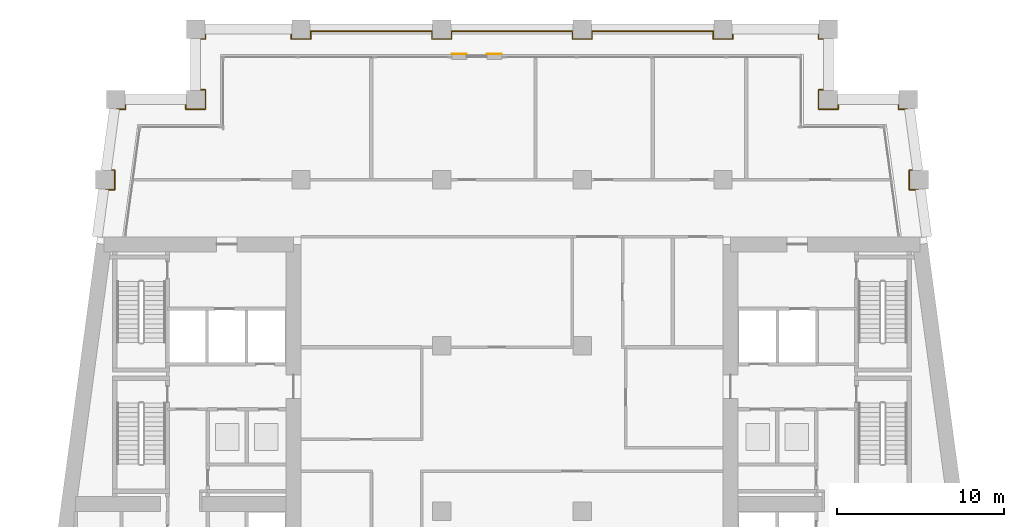
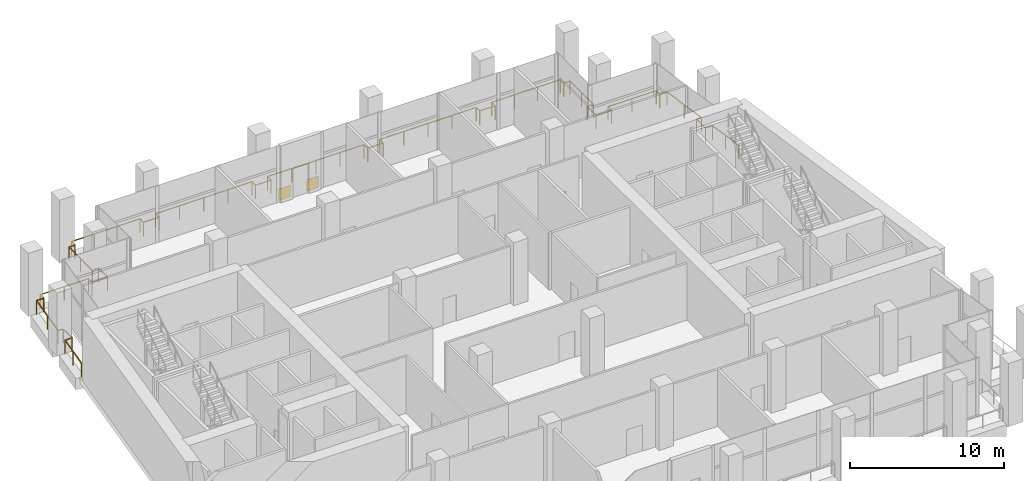
# One storey, part 15 of 16: 2 coverings, 1 railing.
"""IFC4 building model written with IfcOpenShell, lengths in metres."""

from ifc_helpers import new_model, si_unit, direction, frame, origin, origin_2d, place, context, subcontext, project, spatial, rectangle, circle, extrude, material, layer, layer_set, type_object, element, save


model = new_model("IFC4")

# Units and contexts
model_context = context("Model", 3, precision=1e-05, world=origin(), true_north=direction((0.0, 1.0)))
body_context = subcontext(model_context, "Body", "Model", "MODEL_VIEW")
ifc_project = project(units=[si_unit("LENGTHUNIT", "METRE"), si_unit("AREAUNIT", "SQUARE_METRE"), si_unit("VOLUMEUNIT", "CUBIC_METRE"), si_unit("PLANEANGLEUNIT", "RADIAN"), si_unit("MASSUNIT", "GRAM", prefix="KILO")], contexts=[model_context])

# Site, building, storey
site_placement = place(None, origin())
site = spatial("IfcSite", under=ifc_project, at=site_placement, CompositionType="ELEMENT")
building_placement = place(site_placement, origin())
building = spatial("IfcBuilding", under=site, at=building_placement, Name="Candeia Pilgrim Tower and Theatre", CompositionType="ELEMENT")
storey_placement = place(building_placement, frame((0.0, 0.0, 192.199951171875)))
storey = spatial("IfcBuildingStorey", under=building, at=storey_placement, Name="L46", CompositionType="ELEMENT", Elevation=192.199951171875)

# Railing
ifc_material_1 = material(Name="Stainless steel balustrade", Category="steel")
railing_type = type_object("IfcRailingType", Name="G1 loggia guard 1100", PredefinedType="GUARDRAIL", material=ifc_material_1)
railing_placement = place(storey_placement, frame((88.758544921875, 132.449951171875, 0.0)))
element("IfcRailing", 1, at=railing_placement, inside=storey, type_object=railing_type, Name="Guard L46.2", PredefinedType="GUARDRAIL", context=body_context, shape_type="SweptSolid", body=[
    extrude(circle(Radius=0.02392578125, at=origin_2d()), frame((0.0, 0.0, 1.076171875), z_axis=(0.133382313969, 0.991064659001, 0.0), x_axis=(-0.991064659001, 0.133382313969, 0.0)), (0.0, 0.0, 1.0), 2.794921875),
    extrude(circle(Radius=0.02392578125, at=origin_2d()), frame((0.372802734375, 2.77001953125, 1.076171875), z_axis=(1.0, 0.0, 0.0), x_axis=(0.0, 1.0, 0.0)), (0.0, 0.0, 1.0), 0.537109375),
    extrude(circle(Radius=0.02392578125, at=origin_2d()), frame((0.909912109375, 2.77001953125, 1.076171875), z_axis=(0.0, 1.0, 0.0), x_axis=(-1.0, 0.0, 0.0)), (0.0, 0.0, 1.0), 1.159912109375),
    extrude(circle(Radius=0.02392578125, at=origin_2d()), frame((0.909912109375, 3.929931640625, 1.076171875), z_axis=(-1.0, 0.0, 0.0), x_axis=(0.0, -1.0, 0.0)), (0.0, 0.0, 1.0), 0.380859375),
    extrude(circle(Radius=0.02392578125, at=origin_2d()), frame((0.529052734375, 3.929931640625, 1.076171875), z_axis=(0.133404479078, 0.99106167566, 0.0), x_axis=(-0.99106167566, 0.133404479078, 0.0)), (0.0, 0.0, 1.0), 3.6728515625),
    extrude(circle(Radius=0.02392578125, at=origin_2d()), frame((1.01904296875, 7.570068359375, 1.076171875), z_axis=(1.0, 0.0, 0.0), x_axis=(0.0, 1.0, 0.0)), (0.0, 0.0, 1.0), 0.537109375),
    extrude(circle(Radius=0.02392578125, at=origin_2d()), frame((1.55615234375, 7.570068359375, 1.076171875), z_axis=(0.0, 1.0, 0.0), x_axis=(-1.0, 0.0, 0.0)), (0.0, 0.0, 1.0), 0.4599609375),
    extrude(circle(Radius=0.02392578125, at=origin_2d()), frame((1.55615234375, 8.030029296875, 1.076171875), z_axis=(1.0, 0.0, 0.0), x_axis=(0.0, 1.0, 0.0)), (0.0, 0.0, 1.0), 3.605224609375),
    extrude(circle(Radius=0.02392578125, at=origin_2d()), frame((5.161376953125, 8.030029296875, 1.076171875), z_axis=(0.0, -1.0, 0.0), x_axis=(1.0, 0.0, 0.0)), (0.0, 0.0, 1.0), 0.4599609375),
    extrude(circle(Radius=0.02392578125, at=origin_2d()), frame((5.161376953125, 7.570068359375, 1.076171875), z_axis=(1.0, 0.0, 0.0), x_axis=(0.0, 1.0, 0.0)), (0.0, 0.0, 1.0), 1.16015625),
    extrude(circle(Radius=0.02392578125, at=origin_2d()), frame((6.321533203125, 7.570068359375, 1.076171875), z_axis=(0.0, 1.0, 0.0), x_axis=(-1.0, 0.0, 0.0)), (0.0, 0.0, 1.0), 1.159912109375),
    extrude(circle(Radius=0.02392578125, at=origin_2d()), frame((6.321533203125, 8.72998046875, 1.076171875), z_axis=(-1.0, 0.0, 0.0), x_axis=(0.0, -1.0, 0.0)), (0.0, 0.0, 1.0), 0.4599609375),
    extrude(circle(Radius=0.02392578125, at=origin_2d()), frame((5.861572265625, 8.72998046875, 1.076171875), z_axis=(0.0, 1.0, 0.0), x_axis=(-1.0, 0.0, 0.0)), (0.0, 0.0, 1.0), 3.0400390625),
    extrude(circle(Radius=0.02392578125, at=origin_2d()), frame((5.861572265625, 11.77001953125, 1.076171875), z_axis=(1.0, 0.0, 0.0), x_axis=(0.0, 1.0, 0.0)), (0.0, 0.0, 1.0), 0.4599609375),
    extrude(circle(Radius=0.02392578125, at=origin_2d()), frame((6.321533203125, 11.77001953125, 1.076171875), z_axis=(0.0, 1.0, 0.0), x_axis=(-1.0, 0.0, 0.0)), (0.0, 0.0, 1.0), 0.4599609375),
    extrude(circle(Radius=0.02392578125, at=origin_2d()), frame((6.321533203125, 12.22998046875, 1.076171875), z_axis=(1.0, 0.0, 0.0), x_axis=(0.0, 1.0, 0.0)), (0.0, 0.0, 1.0), 5.139892578125),
    extrude(circle(Radius=0.02392578125, at=origin_2d()), frame((11.46142578125, 12.22998046875, 1.076171875), z_axis=(0.0, -1.0, 0.0), x_axis=(1.0, 0.0, 0.0)), (0.0, 0.0, 1.0), 0.4599609375),
    extrude(circle(Radius=0.02392578125, at=origin_2d()), frame((11.46142578125, 11.77001953125, 1.076171875), z_axis=(1.0, 0.0, 0.0), x_axis=(0.0, 1.0, 0.0)), (0.0, 0.0, 1.0), 1.159912109375),
    extrude(circle(Radius=0.02392578125, at=origin_2d()), frame((12.621337890625, 11.77001953125, 1.076171875), z_axis=(0.0, 1.0, 0.0), x_axis=(-1.0, 0.0, 0.0)), (0.0, 0.0, 1.0), 0.4599609375),
    extrude(circle(Radius=0.02392578125, at=origin_2d()), frame((12.621337890625, 12.22998046875, 1.076171875), z_axis=(1.0, 0.0, 0.0), x_axis=(0.0, 1.0, 0.0)), (0.0, 0.0, 1.0), 7.240234375),
    extrude(circle(Radius=0.02392578125, at=origin_2d()), frame((19.861572265625, 12.22998046875, 1.076171875), z_axis=(0.0, -1.0, 0.0), x_axis=(1.0, 0.0, 0.0)), (0.0, 0.0, 1.0), 0.4599609375),
    extrude(circle(Radius=0.02392578125, at=origin_2d()), frame((19.861572265625, 11.77001953125, 1.076171875), z_axis=(1.0, 0.0, 0.0), x_axis=(0.0, 1.0, 0.0)), (0.0, 0.0, 1.0), 1.159912109375),
    extrude(circle(Radius=0.02392578125, at=origin_2d()), frame((21.021484375, 11.77001953125, 1.076171875), z_axis=(0.0, 1.0, 0.0), x_axis=(-1.0, 0.0, 0.0)), (0.0, 0.0, 1.0), 0.4599609375),
    extrude(circle(Radius=0.02392578125, at=origin_2d()), frame((21.021484375, 12.22998046875, 1.076171875), z_axis=(1.0, 0.0, 0.0), x_axis=(0.0, 1.0, 0.0)), (0.0, 0.0, 1.0), 7.239990234375),
    extrude(circle(Radius=0.02392578125, at=origin_2d()), frame((28.261474609375, 12.22998046875, 1.076171875), z_axis=(0.0, -1.0, 0.0), x_axis=(1.0, 0.0, 0.0)), (0.0, 0.0, 1.0), 0.4599609375),
    extrude(circle(Radius=0.02392578125, at=origin_2d()), frame((28.261474609375, 11.77001953125, 1.076171875), z_axis=(1.0, 0.0, 0.0), x_axis=(0.0, 1.0, 0.0)), (0.0, 0.0, 1.0), 1.159912109375),
    extrude(circle(Radius=0.02392578125, at=origin_2d()), frame((29.42138671875, 11.77001953125, 1.076171875), z_axis=(0.0, 1.0, 0.0), x_axis=(-1.0, 0.0, 0.0)), (0.0, 0.0, 1.0), 0.4599609375),
    extrude(circle(Radius=0.02392578125, at=origin_2d()), frame((29.42138671875, 12.22998046875, 1.076171875), z_axis=(1.0, 0.0, 0.0), x_axis=(0.0, 1.0, 0.0)), (0.0, 0.0, 1.0), 7.239990234375),
    extrude(circle(Radius=0.02392578125, at=origin_2d()), frame((36.661376953125, 12.22998046875, 1.076171875), z_axis=(0.0, -1.0, 0.0), x_axis=(1.0, 0.0, 0.0)), (0.0, 0.0, 1.0), 0.4599609375),
    extrude(circle(Radius=0.02392578125, at=origin_2d()), frame((36.661376953125, 11.77001953125, 1.076171875), z_axis=(1.0, 0.0, 0.0), x_axis=(0.0, 1.0, 0.0)), (0.0, 0.0, 1.0), 1.16015625),
    extrude(circle(Radius=0.02392578125, at=origin_2d()), frame((37.821533203125, 11.77001953125, 1.076171875), z_axis=(0.0, 1.0, 0.0), x_axis=(-1.0, 0.0, 0.0)), (0.0, 0.0, 1.0), 0.4599609375),
    extrude(circle(Radius=0.02392578125, at=origin_2d()), frame((37.821533203125, 12.22998046875, 1.076171875), z_axis=(1.0, 0.0, 0.0), x_axis=(0.0, 1.0, 0.0)), (0.0, 0.0, 1.0), 5.139892578125),
    extrude(circle(Radius=0.02392578125, at=origin_2d()), frame((42.96142578125, 12.22998046875, 1.076171875), z_axis=(0.0, -1.0, 0.0), x_axis=(1.0, 0.0, 0.0)), (0.0, 0.0, 1.0), 0.4599609375),
    extrude(circle(Radius=0.02392578125, at=origin_2d()), frame((42.96142578125, 11.77001953125, 1.076171875), z_axis=(1.0, 0.0, 0.0), x_axis=(0.0, 1.0, 0.0)), (0.0, 0.0, 1.0), 0.4599609375),
    extrude(circle(Radius=0.02392578125, at=origin_2d()), frame((43.42138671875, 11.77001953125, 1.076171875), z_axis=(0.0, -1.0, 0.0), x_axis=(1.0, 0.0, 0.0)), (0.0, 0.0, 1.0), 3.0400390625),
    extrude(circle(Radius=0.02392578125, at=origin_2d()), frame((43.42138671875, 8.72998046875, 1.076171875), z_axis=(-1.0, 0.0, 0.0), x_axis=(0.0, -1.0, 0.0)), (0.0, 0.0, 1.0), 0.4599609375),
    extrude(circle(Radius=0.02392578125, at=origin_2d()), frame((42.96142578125, 8.72998046875, 1.076171875), z_axis=(0.0, -1.0, 0.0), x_axis=(1.0, 0.0, 0.0)), (0.0, 0.0, 1.0), 1.159912109375),
    extrude(circle(Radius=0.02392578125, at=origin_2d()), frame((42.96142578125, 7.570068359375, 1.076171875), z_axis=(1.0, 0.0, 0.0), x_axis=(0.0, 1.0, 0.0)), (0.0, 0.0, 1.0), 1.159912109375),
    extrude(circle(Radius=0.02392578125, at=origin_2d()), frame((44.121337890625, 7.570068359375, 1.076171875), z_axis=(0.0, 1.0, 0.0), x_axis=(-1.0, 0.0, 0.0)), (0.0, 0.0, 1.0), 0.4599609375),
    extrude(circle(Radius=0.02392578125, at=origin_2d()), frame((44.121337890625, 8.030029296875, 1.076171875), z_axis=(1.0, 0.0, 0.0), x_axis=(0.0, 1.0, 0.0)), (0.0, 0.0, 1.0), 3.60546875),
    extrude(circle(Radius=0.02392578125, at=origin_2d()), frame((47.726806640625, 8.030029296875, 1.076171875), z_axis=(0.0, -1.0, 0.0), x_axis=(1.0, 0.0, 0.0)), (0.0, 0.0, 1.0), 0.4599609375),
    extrude(circle(Radius=0.02392578125, at=origin_2d()), frame((47.726806640625, 7.570068359375, 1.076171875), z_axis=(1.0, 0.0, 0.0), x_axis=(0.0, 1.0, 0.0)), (0.0, 0.0, 1.0), 0.537109375),
    extrude(circle(Radius=0.02392578125, at=origin_2d()), frame((48.263916015625, 7.570068359375, 1.076171875), z_axis=(0.133404479078, -0.99106167566, 0.0), x_axis=(0.99106167566, 0.133404479078, 0.0)), (0.0, 0.0, 1.0), 3.6728515625),
    extrude(circle(Radius=0.02392578125, at=origin_2d()), frame((48.75390625, 3.929931640625, 1.076171875), z_axis=(-1.0, 0.0, 0.0), x_axis=(0.0, -1.0, 0.0)), (0.0, 0.0, 1.0), 0.380859375),
    extrude(circle(Radius=0.02392578125, at=origin_2d()), frame((48.373046875, 3.929931640625, 1.076171875), z_axis=(0.0, -1.0, 0.0), x_axis=(1.0, 0.0, 0.0)), (0.0, 0.0, 1.0), 1.159912109375),
    extrude(circle(Radius=0.02392578125, at=origin_2d()), frame((48.373046875, 2.77001953125, 1.076171875), z_axis=(1.0, 0.0, 0.0), x_axis=(0.0, 1.0, 0.0)), (0.0, 0.0, 1.0), 0.536865234375),
    extrude(circle(Radius=0.02392578125, at=origin_2d()), frame((48.909912109375, 2.77001953125, 1.076171875), z_axis=(0.133468107709, -0.99105310868, 0.0), x_axis=(0.99105310868, 0.133468107709, 0.0)), (0.0, 0.0, 1.0), 2.794921875),
    extrude(circle(Radius=0.02099609375, at=origin_2d()), origin(), (0.0, 0.0, 1.0), 1.052001953125),
    extrude(circle(Radius=0.02099609375, at=origin_2d()), frame((0.1865234375, 1.385009765625, 0.0)), (0.0, 0.0, 1.0), 1.052001953125),
    extrude(circle(Radius=0.02099609375, at=origin_2d()), frame((0.372802734375, 2.77001953125, 0.0)), (0.0, 0.0, 1.0), 1.052001953125),
    extrude(circle(Radius=0.02099609375, at=origin_2d()), frame((0.909912109375, 2.77001953125, 0.0)), (0.0, 0.0, 1.0), 1.052001953125),
    extrude(circle(Radius=0.02099609375, at=origin_2d()), frame((0.909912109375, 3.929931640625, 0.0)), (0.0, 0.0, 1.0), 1.052001953125),
    extrude(circle(Radius=0.02099609375, at=origin_2d()), frame((0.529052734375, 3.929931640625, 0.0)), (0.0, 0.0, 1.0), 1.052001953125),
    extrude(circle(Radius=0.02099609375, at=origin_2d()), frame((0.77392578125, 5.75, 0.0)), (0.0, 0.0, 1.0), 1.052001953125),
    extrude(circle(Radius=0.02099609375, at=origin_2d()), frame((1.01904296875, 7.570068359375, 0.0)), (0.0, 0.0, 1.0), 1.052001953125),
    extrude(circle(Radius=0.02099609375, at=origin_2d()), frame((1.55615234375, 7.570068359375, 0.0)), (0.0, 0.0, 1.0), 1.052001953125),
    extrude(circle(Radius=0.02099609375, at=origin_2d()), frame((1.55615234375, 8.030029296875, 0.0)), (0.0, 0.0, 1.0), 1.052001953125),
    extrude(circle(Radius=0.02099609375, at=origin_2d()), frame((3.35888671875, 8.030029296875, 0.0)), (0.0, 0.0, 1.0), 1.052001953125),
    extrude(circle(Radius=0.02099609375, at=origin_2d()), frame((5.161376953125, 8.030029296875, 0.0)), (0.0, 0.0, 1.0), 1.052001953125),
    extrude(circle(Radius=0.02099609375, at=origin_2d()), frame((5.161376953125, 7.570068359375, 0.0)), (0.0, 0.0, 1.0), 1.052001953125),
    extrude(circle(Radius=0.02099609375, at=origin_2d()), frame((6.321533203125, 7.570068359375, 0.0)), (0.0, 0.0, 1.0), 1.052001953125),
    extrude(circle(Radius=0.02099609375, at=origin_2d()), frame((6.321533203125, 8.72998046875, 0.0)), (0.0, 0.0, 1.0), 1.052001953125),
    extrude(circle(Radius=0.02099609375, at=origin_2d()), frame((5.861572265625, 8.72998046875, 0.0)), (0.0, 0.0, 1.0), 1.052001953125),
    extrude(circle(Radius=0.02099609375, at=origin_2d()), frame((5.861572265625, 10.25, 0.0)), (0.0, 0.0, 1.0), 1.052001953125),
    extrude(circle(Radius=0.02099609375, at=origin_2d()), frame((5.861572265625, 11.77001953125, 0.0)), (0.0, 0.0, 1.0), 1.052001953125),
    extrude(circle(Radius=0.02099609375, at=origin_2d()), frame((6.321533203125, 11.77001953125, 0.0)), (0.0, 0.0, 1.0), 1.052001953125),
    extrude(circle(Radius=0.02099609375, at=origin_2d()), frame((6.321533203125, 12.22998046875, 0.0)), (0.0, 0.0, 1.0), 1.052001953125),
    extrude(circle(Radius=0.02099609375, at=origin_2d()), frame((8.034912109375, 12.22998046875, 0.0)), (0.0, 0.0, 1.0), 1.052001953125),
    extrude(circle(Radius=0.02099609375, at=origin_2d()), frame((9.748046875, 12.22998046875, 0.0)), (0.0, 0.0, 1.0), 1.052001953125),
    extrude(circle(Radius=0.02099609375, at=origin_2d()), frame((11.46142578125, 12.22998046875, 0.0)), (0.0, 0.0, 1.0), 1.052001953125),
    extrude(circle(Radius=0.02099609375, at=origin_2d()), frame((11.46142578125, 11.77001953125, 0.0)), (0.0, 0.0, 1.0), 1.052001953125),
    extrude(circle(Radius=0.02099609375, at=origin_2d()), frame((12.621337890625, 11.77001953125, 0.0)), (0.0, 0.0, 1.0), 1.052001953125),
    extrude(circle(Radius=0.02099609375, at=origin_2d()), frame((12.621337890625, 12.22998046875, 0.0)), (0.0, 0.0, 1.0), 1.052001953125),
    extrude(circle(Radius=0.02099609375, at=origin_2d()), frame((14.431396484375, 12.22998046875, 0.0)), (0.0, 0.0, 1.0), 1.052001953125),
    extrude(circle(Radius=0.02099609375, at=origin_2d()), frame((16.241455078125, 12.22998046875, 0.0)), (0.0, 0.0, 1.0), 1.052001953125),
    extrude(circle(Radius=0.02099609375, at=origin_2d()), frame((18.051513671875, 12.22998046875, 0.0)), (0.0, 0.0, 1.0), 1.052001953125),
    extrude(circle(Radius=0.02099609375, at=origin_2d()), frame((19.861572265625, 12.22998046875, 0.0)), (0.0, 0.0, 1.0), 1.052001953125),
    extrude(circle(Radius=0.02099609375, at=origin_2d()), frame((19.861572265625, 11.77001953125, 0.0)), (0.0, 0.0, 1.0), 1.052001953125),
    extrude(circle(Radius=0.02099609375, at=origin_2d()), frame((21.021484375, 11.77001953125, 0.0)), (0.0, 0.0, 1.0), 1.052001953125),
    extrude(circle(Radius=0.02099609375, at=origin_2d()), frame((21.021484375, 12.22998046875, 0.0)), (0.0, 0.0, 1.0), 1.052001953125),
    extrude(circle(Radius=0.02099609375, at=origin_2d()), frame((22.83154296875, 12.22998046875, 0.0)), (0.0, 0.0, 1.0), 1.052001953125),
    extrude(circle(Radius=0.02099609375, at=origin_2d()), frame((24.6416015625, 12.22998046875, 0.0)), (0.0, 0.0, 1.0), 1.052001953125),
    extrude(circle(Radius=0.02099609375, at=origin_2d()), frame((26.451416015625, 12.22998046875, 0.0)), (0.0, 0.0, 1.0), 1.052001953125),
    extrude(circle(Radius=0.02099609375, at=origin_2d()), frame((28.261474609375, 12.22998046875, 0.0)), (0.0, 0.0, 1.0), 1.052001953125),
    extrude(circle(Radius=0.02099609375, at=origin_2d()), frame((28.261474609375, 11.77001953125, 0.0)), (0.0, 0.0, 1.0), 1.052001953125),
    extrude(circle(Radius=0.02099609375, at=origin_2d()), frame((29.42138671875, 11.77001953125, 0.0)), (0.0, 0.0, 1.0), 1.052001953125),
    extrude(circle(Radius=0.02099609375, at=origin_2d()), frame((29.42138671875, 12.22998046875, 0.0)), (0.0, 0.0, 1.0), 1.052001953125),
    extrude(circle(Radius=0.02099609375, at=origin_2d()), frame((31.2314453125, 12.22998046875, 0.0)), (0.0, 0.0, 1.0), 1.052001953125),
    extrude(circle(Radius=0.02099609375, at=origin_2d()), frame((33.04150390625, 12.22998046875, 0.0)), (0.0, 0.0, 1.0), 1.052001953125),
    extrude(circle(Radius=0.02099609375, at=origin_2d()), frame((34.851318359375, 12.22998046875, 0.0)), (0.0, 0.0, 1.0), 1.052001953125),
    extrude(circle(Radius=0.02099609375, at=origin_2d()), frame((36.661376953125, 12.22998046875, 0.0)), (0.0, 0.0, 1.0), 1.052001953125),
    extrude(circle(Radius=0.02099609375, at=origin_2d()), frame((36.661376953125, 11.77001953125, 0.0)), (0.0, 0.0, 1.0), 1.052001953125),
    extrude(circle(Radius=0.02099609375, at=origin_2d()), frame((37.821533203125, 11.77001953125, 0.0)), (0.0, 0.0, 1.0), 1.052001953125),
    extrude(circle(Radius=0.02099609375, at=origin_2d()), frame((37.821533203125, 12.22998046875, 0.0)), (0.0, 0.0, 1.0), 1.052001953125),
    extrude(circle(Radius=0.02099609375, at=origin_2d()), frame((39.534912109375, 12.22998046875, 0.0)), (0.0, 0.0, 1.0), 1.052001953125),
    extrude(circle(Radius=0.02099609375, at=origin_2d()), frame((41.248046875, 12.22998046875, 0.0)), (0.0, 0.0, 1.0), 1.052001953125),
    extrude(circle(Radius=0.02099609375, at=origin_2d()), frame((42.96142578125, 12.22998046875, 0.0)), (0.0, 0.0, 1.0), 1.052001953125),
    extrude(circle(Radius=0.02099609375, at=origin_2d()), frame((42.96142578125, 11.77001953125, 0.0)), (0.0, 0.0, 1.0), 1.052001953125),
    extrude(circle(Radius=0.02099609375, at=origin_2d()), frame((43.42138671875, 11.77001953125, 0.0)), (0.0, 0.0, 1.0), 1.052001953125),
    extrude(circle(Radius=0.02099609375, at=origin_2d()), frame((43.42138671875, 10.25, 0.0)), (0.0, 0.0, 1.0), 1.052001953125),
    extrude(circle(Radius=0.02099609375, at=origin_2d()), frame((43.42138671875, 8.72998046875, 0.0)), (0.0, 0.0, 1.0), 1.052001953125),
    extrude(circle(Radius=0.02099609375, at=origin_2d()), frame((42.96142578125, 8.72998046875, 0.0)), (0.0, 0.0, 1.0), 1.052001953125),
    extrude(circle(Radius=0.02099609375, at=origin_2d()), frame((42.96142578125, 7.570068359375, 0.0)), (0.0, 0.0, 1.0), 1.052001953125),
    extrude(circle(Radius=0.02099609375, at=origin_2d()), frame((44.121337890625, 7.570068359375, 0.0)), (0.0, 0.0, 1.0), 1.052001953125),
    extrude(circle(Radius=0.02099609375, at=origin_2d()), frame((44.121337890625, 8.030029296875, 0.0)), (0.0, 0.0, 1.0), 1.052001953125),
    extrude(circle(Radius=0.02099609375, at=origin_2d()), frame((45.924072265625, 8.030029296875, 0.0)), (0.0, 0.0, 1.0), 1.052001953125),
    extrude(circle(Radius=0.02099609375, at=origin_2d()), frame((47.726806640625, 8.030029296875, 0.0)), (0.0, 0.0, 1.0), 1.052001953125),
    extrude(circle(Radius=0.02099609375, at=origin_2d()), frame((47.726806640625, 7.570068359375, 0.0)), (0.0, 0.0, 1.0), 1.052001953125),
    extrude(circle(Radius=0.02099609375, at=origin_2d()), frame((48.263916015625, 7.570068359375, 0.0)), (0.0, 0.0, 1.0), 1.052001953125),
    extrude(circle(Radius=0.02099609375, at=origin_2d()), frame((48.5087890625, 5.75, 0.0)), (0.0, 0.0, 1.0), 1.052001953125),
    extrude(circle(Radius=0.02099609375, at=origin_2d()), frame((48.75390625, 3.929931640625, 0.0)), (0.0, 0.0, 1.0), 1.052001953125),
    extrude(circle(Radius=0.02099609375, at=origin_2d()), frame((48.373046875, 3.929931640625, 0.0)), (0.0, 0.0, 1.0), 1.052001953125),
    extrude(circle(Radius=0.02099609375, at=origin_2d()), frame((48.373046875, 2.77001953125, 0.0)), (0.0, 0.0, 1.0), 1.052001953125),
    extrude(circle(Radius=0.02099609375, at=origin_2d()), frame((48.909912109375, 2.77001953125, 0.0)), (0.0, 0.0, 1.0), 1.052001953125),
    extrude(circle(Radius=0.02099609375, at=origin_2d()), frame((49.096435546875, 1.385009765625, 0.0)), (0.0, 0.0, 1.0), 1.052001953125),
    extrude(circle(Radius=0.02099609375, at=origin_2d()), frame((49.282958984375, 0.0, 0.0)), (0.0, 0.0, 1.0), 1.052001953125),
])

# Coverings
ifc_material_2 = material(Name="Glazed ceramic tile bottle green")
ifc_layer = layer(ifc_material_2, 0.02001953125)
ifc_layer_set = layer_set([ifc_layer], Name="Glazed ceramic tile bottle green")
covering_type = type_object("IfcCoveringType", Name="Glazed ceramic tile bottle green", PredefinedType="CLADDING", material=ifc_layer_set)
for number, where, z_axis, x_axis, name in (
    (2, (112.35009765625, 143.31005859375, 0.0), (0.0, 0.0, 1.0), (-1.0, 0.0, 0.0), "Tile cladding bottle green L46"),
    (3, (110.25, 143.31005859375, 0.0), (0.0, 0.0, 1.0), (-1.0, 0.0, 0.0), "Tile cladding bottle green L46"),
):
    element("IfcCovering", number, at=place(storey_placement, frame(where, z_axis=z_axis, x_axis=x_axis)), inside=storey, type_object=covering_type, Name=name, PredefinedType="CLADDING", context=body_context, shape_type="SweptSolid", body=[
        extrude(rectangle(XDim=0.89990234375, YDim=0.02001953125, at=origin_2d()), origin(), (0.0, 0.0, 1.0), 0.89990234375),
    ])

save(model, "model.ifc")
